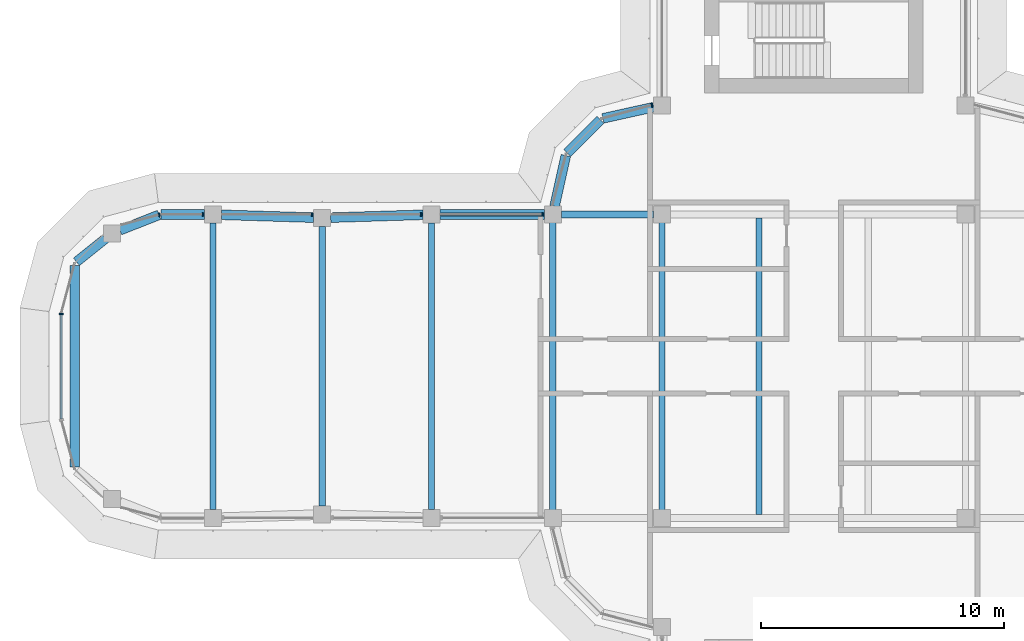
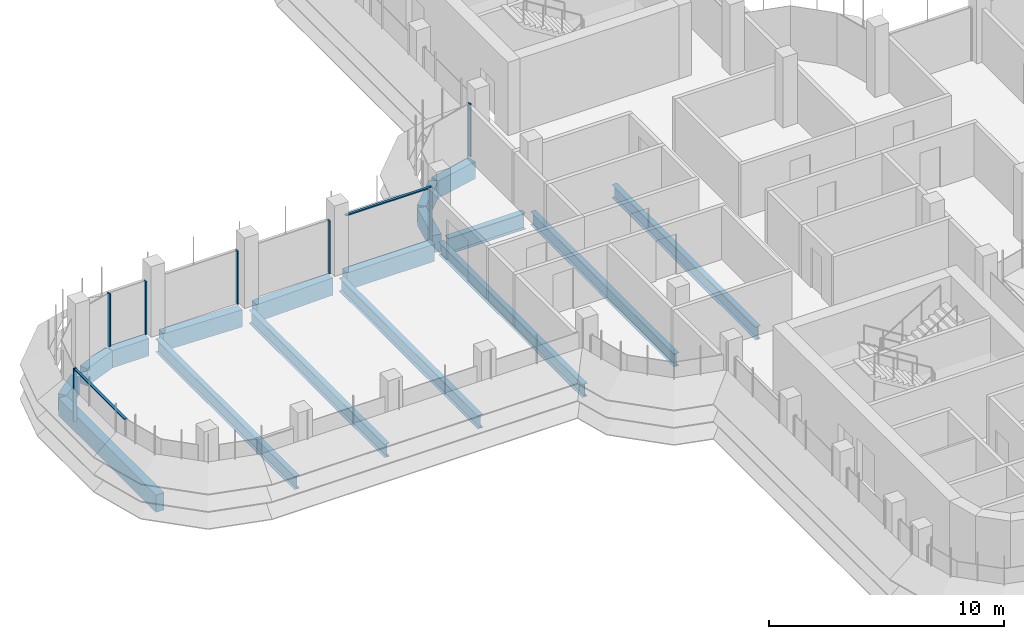
# One storey, part 6 of 19: 17 beams, 9 members, 4 elements without a shape of their own.
"""IFC4 building model written with IfcOpenShell, lengths in metres."""

from ifc_helpers import new_model, si_unit, direction, frame, origin, origin_2d, place, context, subcontext, project, spatial, polyline, rectangle, i_section, outline, extrude, source, transform, mapped, material, material_profile, profile_set, type_object, element, aggregate, save


model = new_model("IFC4")

# Units and contexts
model_context = context("Model", 3, precision=1e-05, world=origin(), true_north=direction((0.0, 1.0)))
body_context = subcontext(model_context, "Body", "Model", "MODEL_VIEW")
ifc_project = project(units=[si_unit("LENGTHUNIT", "METRE"), si_unit("AREAUNIT", "SQUARE_METRE"), si_unit("VOLUMEUNIT", "CUBIC_METRE"), si_unit("PLANEANGLEUNIT", "RADIAN"), si_unit("MASSUNIT", "GRAM", prefix="KILO")], contexts=[model_context])

# Site, building, storey
site_placement = place(None, origin())
site = spatial("IfcSite", under=ifc_project, at=site_placement, CompositionType="ELEMENT")
building_placement = place(site_placement, origin())
building = spatial("IfcBuilding", under=site, at=building_placement, Name="Zarbagh Exchange Tower", CompositionType="ELEMENT")
storey_placement = place(building_placement, frame((0.0, 0.0, 229.60009765625)))
storey = spatial("IfcBuildingStorey", under=building, at=storey_placement, Name="L56", CompositionType="ELEMENT", Elevation=229.60009765625)

# Beams
ifc_material_1 = material(Name="Steel ASTM A992 Gr 50", Category="steel")
ifc_material_profile_1 = material_profile(ifc_material_1, i_section(OverallWidth=0.25390625, OverallDepth=0.67822265625, WebThickness=0.01171875, FlangeThickness=0.016357421875, at=origin_2d()), Name="W27X84")
ifc_profile_set_1 = profile_set([ifc_material_profile_1], Name="Steel ASTM A992 Gr 50")
beam_type_1 = type_object("IfcBeamType", Name="Floor beam W27X84", PredefinedType="BEAM", material=ifc_profile_set_1)
for number, where, z_axis, x_axis, name in (
    (1, (-10.75, -6.10400390625, -0.4892578125), (0.0, 1.0, 0.0), (-1.0, 0.0, 0.0), "Steel floor beam"),
    (2, (-6.25, -6.10400390625, -0.4892578125), (0.0, 1.0, 0.0), (-1.0, 0.0, 0.0), "Steel floor beam"),
    (3, (-2.25, -6.10400390625, -0.4892578125), (0.0, 1.0, 0.0), (-1.0, 0.0, 0.0), "Steel floor beam"),
):
    element("IfcBeam", number, at=place(storey_placement, frame(where, z_axis=z_axis, x_axis=x_axis)), inside=storey, type_object=beam_type_1, Name=name, PredefinedType="BEAM", context=body_context, shape_type="SweptSolid", body=[
        extrude(i_section(OverallWidth=0.25390625, OverallDepth=0.67822265625, WebThickness=0.01171875, FlangeThickness=0.016357421875, at=origin_2d()), origin(), (0.0, 0.0, 1.0), 12.2080078125),
    ])
beam_1_placement = place(storey_placement, frame((-15.75, -5.89990234375, -0.4892578125), z_axis=(0.0, 1.0, 0.0), x_axis=(-1.0, 0.0, 0.0)))
element("IfcBeam", 4, at=beam_1_placement, inside=storey, type_object=beam_type_1, Name="Steel floor beam", PredefinedType="BEAM", context=body_context, shape_type="SweptSolid", body=[
    extrude(i_section(OverallWidth=0.25390625, OverallDepth=0.67822265625, WebThickness=0.01171875, FlangeThickness=0.016357421875, at=origin_2d()), origin(), (0.0, 0.0, 1.0), 11.7998046875),
])
beam_2_placement = place(storey_placement, frame((-20.25, -5.760009765625, -0.4892578125), z_axis=(0.0, 1.0, 0.0), x_axis=(-1.0, 0.0, 0.0)))
element("IfcBeam", 5, at=beam_2_placement, inside=storey, type_object=beam_type_1, Name="Steel floor beam", PredefinedType="BEAM", context=body_context, shape_type="SweptSolid", body=[
    extrude(i_section(OverallWidth=0.25390625, OverallDepth=0.67822265625, WebThickness=0.01171875, FlangeThickness=0.016357421875, at=origin_2d()), origin(), (0.0, 0.0, 1.0), 11.52001953125),
])
beam_3_placement = place(storey_placement, frame((-24.75, -5.89990234375, -0.4892578125), z_axis=(0.0, 1.0, 0.0), x_axis=(-1.0, 0.0, 0.0)))
element("IfcBeam", 6, at=beam_3_placement, inside=storey, type_object=beam_type_1, Name="Steel floor beam", PredefinedType="BEAM", context=body_context, shape_type="SweptSolid", body=[
    extrude(i_section(OverallWidth=0.25390625, OverallDepth=0.67822265625, WebThickness=0.01171875, FlangeThickness=0.016357421875, at=origin_2d()), origin(), (0.0, 0.0, 1.0), 11.7998046875),
])
ifc_material_profile_2 = material_profile(ifc_material_1, i_section(OverallWidth=0.2919921875, OverallDepth=0.835693359375, WebThickness=0.013916015625, FlangeThickness=0.018798828125, at=origin_2d()), Name="W33X118")
ifc_profile_set_2 = profile_set([ifc_material_profile_2], Name="Steel ASTM A992 Gr 50")
beam_type_2 = type_object("IfcBeamType", Name="Floor girder W33X118", PredefinedType="BEAM", material=ifc_profile_set_2)
beam_4_placement = place(storey_placement, frame((-10.39990234375, 6.25, -0.56787109375), z_axis=(1.0, 0.0, 0.0), x_axis=(0.0, 1.0, 0.0)))
element("IfcBeam", 7, at=beam_4_placement, inside=storey, type_object=beam_type_2, Name="Steel girder", PredefinedType="BEAM", context=body_context, shape_type="SweptSolid", body=[
    extrude(i_section(OverallWidth=0.2919921875, OverallDepth=0.835693359375, WebThickness=0.013916015625, FlangeThickness=0.018798828125, at=origin_2d()), origin(), (0.0, 0.0, 1.0), 3.7998046875),
])
ifc_material_2 = material(Name="Concrete C50/60", Category="concrete")
ifc_material_profile_3 = material_profile(ifc_material_2, rectangle(XDim=0.39990234375, YDim=0.89990234375, at=origin_2d()), Name="RC spandrel beam 400 x 900 C50/60")
ifc_profile_set_3 = profile_set([ifc_material_profile_3], Name="Concrete C50/60")
beam_type_3 = type_object("IfcBeamType", Name="RC spandrel beam 400 x 900 C50/60", PredefinedType="SPANDREL", material=ifc_profile_set_3)
beam_5_placement = place(storey_placement, frame((-30.44873046875, -4.14501953125, -0.60009765625), z_axis=(0.0, 1.0, 0.0), x_axis=(-1.0, 0.0, 0.0)))
element("IfcBeam", 8, at=beam_5_placement, inside=storey, type_object=beam_type_3, Name="RC spandrel beam", PredefinedType="SPANDREL", context=body_context, shape_type="SweptSolid", body=[
    extrude(rectangle(XDim=0.39990234375, YDim=0.89990234375, at=origin_2d()), origin(), (0.0, 0.0, 1.0), 8.2900390625),
])
beam_6_placement = place(storey_placement, frame((-30.373779296875, 4.30126953125, -0.60009765625), z_axis=(0.780634897504, 0.62498732531, 0.0), x_axis=(-0.62498732531, 0.780634897504, 0.0)))
element("IfcBeam", 9, at=beam_6_placement, inside=storey, type_object=beam_type_3, Name="RC spandrel beam", PredefinedType="SPANDREL", context=body_context, shape_type="SweptSolid", body=[
    extrude(rectangle(XDim=0.39990234375, YDim=0.89990234375, at=origin_2d()), origin(), (0.0, 0.0, 1.0), 1.52783203125),
])
beam_7_placement = place(storey_placement, frame((-28.582275390625, 5.602783203125, -0.60009765625), z_axis=(0.930809711446, 0.365504146457, 0.0), x_axis=(-0.365504146457, 0.930809711446, 0.0)))
element("IfcBeam", 10, at=beam_7_placement, inside=storey, type_object=beam_type_3, Name="RC spandrel beam", PredefinedType="SPANDREL", context=body_context, shape_type="SweptSolid", body=[
    extrude(rectangle(XDim=0.39990234375, YDim=0.89990234375, at=origin_2d()), origin(), (0.0, 0.0, 1.0), 1.732666015625),
])
beam_8_placement = place(storey_placement, frame((-26.896240234375, 6.25, -0.60009765625), z_axis=(1.0, 0.0, 0.0), x_axis=(0.0, 1.0, 0.0)))
element("IfcBeam", 11, at=beam_8_placement, inside=storey, type_object=beam_type_3, Name="RC spandrel beam", PredefinedType="SPANDREL", context=body_context, shape_type="SweptSolid", body=[
    extrude(rectangle(XDim=0.39990234375, YDim=0.89990234375, at=origin_2d()), origin(), (0.0, 0.0, 1.0), 1.796142578125),
])
for number, where, z_axis, x_axis, name in (
    (12, (-24.400146484375, 6.239013671875, -0.60009765625), (0.999516950199, -0.031078389046, 0.0), (0.031078389046, 0.999516950199, 0.0), "RC spandrel beam"),
    (13, (-19.900146484375, 6.120849609375, -0.60009765625), (0.999516950199, 0.031078389046, 0.0), (-0.031078389046, 0.999516950199, 0.0), "RC spandrel beam"),
):
    element("IfcBeam", number, at=place(storey_placement, frame(where, z_axis=z_axis, x_axis=x_axis)), inside=storey, type_object=beam_type_3, Name=name, PredefinedType="SPANDREL", context=body_context, shape_type="SweptSolid", body=[
        extrude(rectangle(XDim=0.39990234375, YDim=0.89990234375, at=origin_2d()), origin(), (0.0, 0.0, 1.0), 3.80224609375),
    ])
beam_9_placement = place(storey_placement, frame((-15.39990234375, 6.25, -0.60009765625), z_axis=(1.0, 0.0, 0.0), x_axis=(0.0, 1.0, 0.0)))
element("IfcBeam", 14, at=beam_9_placement, inside=storey, type_object=beam_type_3, Name="RC spandrel beam", PredefinedType="SPANDREL", context=body_context, shape_type="SweptSolid", body=[
    extrude(rectangle(XDim=0.39990234375, YDim=0.89990234375, at=origin_2d()), origin(), (0.0, 0.0, 1.0), 4.2998046875),
])
beam_10_placement = place(storey_placement, frame((-10.67431640625, 6.591796875, -0.60009765625), z_axis=(0.216013551096, 0.97639036545, 0.0), x_axis=(-0.97639036545, 0.216013551096, 0.0)))
element("IfcBeam", 15, at=beam_10_placement, inside=storey, type_object=beam_type_3, Name="RC spandrel beam", PredefinedType="SPANDREL", context=body_context, shape_type="SweptSolid", body=[
    extrude(rectangle(XDim=0.39990234375, YDim=0.89990234375, at=origin_2d()), origin(), (0.0, 0.0, 1.0), 2.142822265625),
])
beam_11_placement = place(storey_placement, frame((-10.15771484375, 8.782470703125, -0.60009765625), z_axis=(0.707106781187, 0.707106781187, 0.0), x_axis=(-0.707106781187, 0.707106781187, 0.0)))
element("IfcBeam", 16, at=beam_11_placement, inside=storey, type_object=beam_type_3, Name="RC spandrel beam", PredefinedType="SPANDREL", context=body_context, shape_type="SweptSolid", body=[
    extrude(rectangle(XDim=0.39990234375, YDim=0.89990234375, at=origin_2d()), origin(), (0.0, 0.0, 1.0), 1.94482421875),
])
beam_12_placement = place(storey_placement, frame((-8.68408203125, 10.21142578125, -0.60009765625), z_axis=(0.97639036545, 0.216013551096, 0.0), x_axis=(-0.216013551096, 0.97639036545, 0.0)))
element("IfcBeam", 17, at=beam_12_placement, inside=storey, type_object=beam_type_3, Name="RC spandrel beam", PredefinedType="SPANDREL", context=body_context, shape_type="SweptSolid", body=[
    extrude(rectangle(XDim=0.39990234375, YDim=0.89990234375, at=origin_2d()), origin(), (0.0, 0.0, 1.0), 2.142822265625),
])

# Curtain wall, member
ifc_material_3 = material(Name="Anodised aluminium frame and glazing", Category="aluminium")
curtain_wall_type = type_object("IfcCurtainWallType", Name="CWB Ribbon glazing, upper zones", PredefinedType="NOTDEFINED", material=ifc_material_3)
curtain_wall_1_placement = place(storey_placement, origin())
curtain_wall_1 = element("IfcCurtainWall", 18, at=curtain_wall_1_placement, inside=storey, type_object=curtain_wall_type, Name="CWB29 curtain wall", PredefinedType="NOTDEFINED")
ifc_material_4 = material(Name="Anodised aluminium frame", Category="aluminium")
member_type_1 = type_object("IfcMemberType", Name="MUB Mullion, anodised aluminium frame", PredefinedType="MULLION", material=ifc_material_4)
shared_shape_1 = source(origin(), body_context, "Body", "SweptSolid", [
    extrude(outline(polyline([(0.0, -0.080078125), (0.06005859375, -0.080078125), (0.06005859375, 0.080078125), (0.0, 0.080078125), (0.0, -0.080078125)])), origin(), (0.0, 0.0, 1.0), 2.75),
])
placement = place(storey_placement, origin())
member_1 = element("IfcMember", 19, at=placement, type_object=member_type_1, Name="CWB29 mullion 1.1", PredefinedType="MULLION", context=body_context, shape_type="MappedRepresentation", body=[
    mapped(shared_shape_1, transform((-6.64013671875, 10.76171875, 0.0), x_axis=(-0.965924289636, -0.258824779902, 0.0), y_axis=(0.258824779902, -0.965924289636, 0.0), z_axis=(0.0, 0.0, 1.0))),
])
aggregate(curtain_wall_1, [member_1])

# Curtain wall, members
curtain_wall_2_placement = place(storey_placement, origin())
curtain_wall_2 = element("IfcCurtainWall", 20, at=curtain_wall_2_placement, inside=storey, type_object=curtain_wall_type, Name="CWB58 curtain wall", PredefinedType="NOTDEFINED")
member_2 = element("IfcMember", 21, at=placement, type_object=member_type_1, Name="CWB58 mullion 1.1", PredefinedType="MULLION", context=body_context, shape_type="MappedRepresentation", body=[
    mapped(shared_shape_1, transform((-11.14013671875, 6.25, 0.0), x_axis=(-1.0, 0.0, 0.0), y_axis=(0.0, -1.0, 0.0), z_axis=(0.0, 0.0, 1.0))),
])
member_3 = element("IfcMember", 22, at=placement, type_object=member_type_1, Name="CWB58 mullion 2.1", PredefinedType="MULLION", context=body_context, shape_type="MappedRepresentation", body=[
    mapped(shared_shape_1, transform((-16.14013671875, 6.25, 0.0), x_axis=(-1.0, 0.0, 0.0), y_axis=(0.0, -1.0, 0.0), z_axis=(0.0, 0.0, 1.0))),
])
member_4 = element("IfcMember", 23, at=placement, type_object=member_type_1, Name="CWB58 mullion 3.1", PredefinedType="MULLION", context=body_context, shape_type="MappedRepresentation", body=[
    mapped(shared_shape_1, transform((-20.64013671875, 6.25, 0.0), x_axis=(-1.0, 0.0, 0.0), y_axis=(0.0, -1.0, 0.0), z_axis=(0.0, 0.0, 1.0))),
])
member_5 = element("IfcMember", 24, at=placement, type_object=member_type_1, Name="CWB58 mullion 4.1", PredefinedType="MULLION", context=body_context, shape_type="MappedRepresentation", body=[
    mapped(shared_shape_1, transform((-25.14013671875, 6.25, 0.0), x_axis=(-1.0, 0.0, 0.0), y_axis=(0.0, -1.0, 0.0), z_axis=(0.0, 0.0, 1.0))),
])

# Curtain wall, member
curtain_wall_3_placement = place(storey_placement, origin())
curtain_wall_3 = element("IfcCurtainWall", 25, at=curtain_wall_3_placement, inside=storey, type_object=curtain_wall_type, Name="CWB59 curtain wall", PredefinedType="NOTDEFINED")
member_6 = element("IfcMember", 26, at=placement, type_object=member_type_1, Name="CWB59 mullion 1.1", PredefinedType="MULLION", context=body_context, shape_type="MappedRepresentation", body=[
    mapped(shared_shape_1, transform((-26.93408203125, 6.25, 0.0), x_axis=(-0.965924289636, -0.258824779902, 0.0), y_axis=(0.258824779902, -0.965924289636, 0.0), z_axis=(0.0, 0.0, 1.0))),
])
aggregate(curtain_wall_3, [member_6])

# Curtain wall, members
curtain_wall_4_placement = place(storey_placement, origin())
curtain_wall_4 = element("IfcCurtainWall", 27, at=curtain_wall_4_placement, inside=storey, type_object=curtain_wall_type, Name="CWB66 curtain wall", PredefinedType="NOTDEFINED")
member_7 = element("IfcMember", 28, at=placement, type_object=member_type_1, Name="CWB66 mullion 1.1", PredefinedType="MULLION", context=body_context, shape_type="MappedRepresentation", body=[
    mapped(shared_shape_1, transform((-31.0, 2.18408203125, 0.0), x_axis=(0.0, -1.0, 0.0), y_axis=(1.0, 0.0, 0.0), z_axis=(0.0, 0.0, 1.0))),
])
member_type_2 = type_object("IfcMemberType", Name="TRB Transom, anodised aluminium frame", PredefinedType="USERDEFINED", material=ifc_material_4)
shared_shape_2 = source(origin(), body_context, "Body", "SweptSolid", [
    extrude(outline(polyline([(-0.06005859375, -0.06005859375), (0.0, -0.06005859375), (0.0, 0.06005859375), (-0.06005859375, 0.06005859375), (-0.06005859375, -0.06005859375)])), origin(), (0.0, 0.0, 1.0), 4.308349609375),
])
member_8 = element("IfcMember", 29, at=placement, type_object=member_type_2, Name="CWB66 transom 1.1", ObjectType="TRANSOM", PredefinedType="USERDEFINED", context=body_context, shape_type="MappedRepresentation", body=[
    mapped(shared_shape_2, transform((-31.0, 2.124267578125, 2.75), x_axis=(0.0, 0.0, 1.0), y_axis=(-1.0, 0.0, 0.0), z_axis=(0.0, -1.0, 0.0))),
])
aggregate(curtain_wall_4, [member_7, member_8])

# Member
shared_shape_3 = source(origin(), body_context, "Body", "SweptSolid", [
    extrude(outline(polyline([(-0.06005859375, -0.06005859375), (0.0, -0.06005859375), (0.0, 0.06005859375), (-0.06005859375, 0.06005859375), (-0.06005859375, -0.06005859375)])), origin(), (0.0, 0.0, 1.0), 4.159912109375),
])
member_9 = element("IfcMember", 30, at=placement, type_object=member_type_2, Name="CWB58 transom 1.1", ObjectType="TRANSOM", PredefinedType="USERDEFINED", context=body_context, shape_type="MappedRepresentation", body=[
    mapped(shared_shape_3, transform((-11.199951171875, 6.25, 2.75), x_axis=(0.0, 0.0, 1.0), y_axis=(0.0, 1.0, 0.0), z_axis=(-1.0, 0.0, 0.0))),
])

aggregate(curtain_wall_2, [member_2, member_9, member_3, member_4, member_5])

save(model, "model.ifc")
